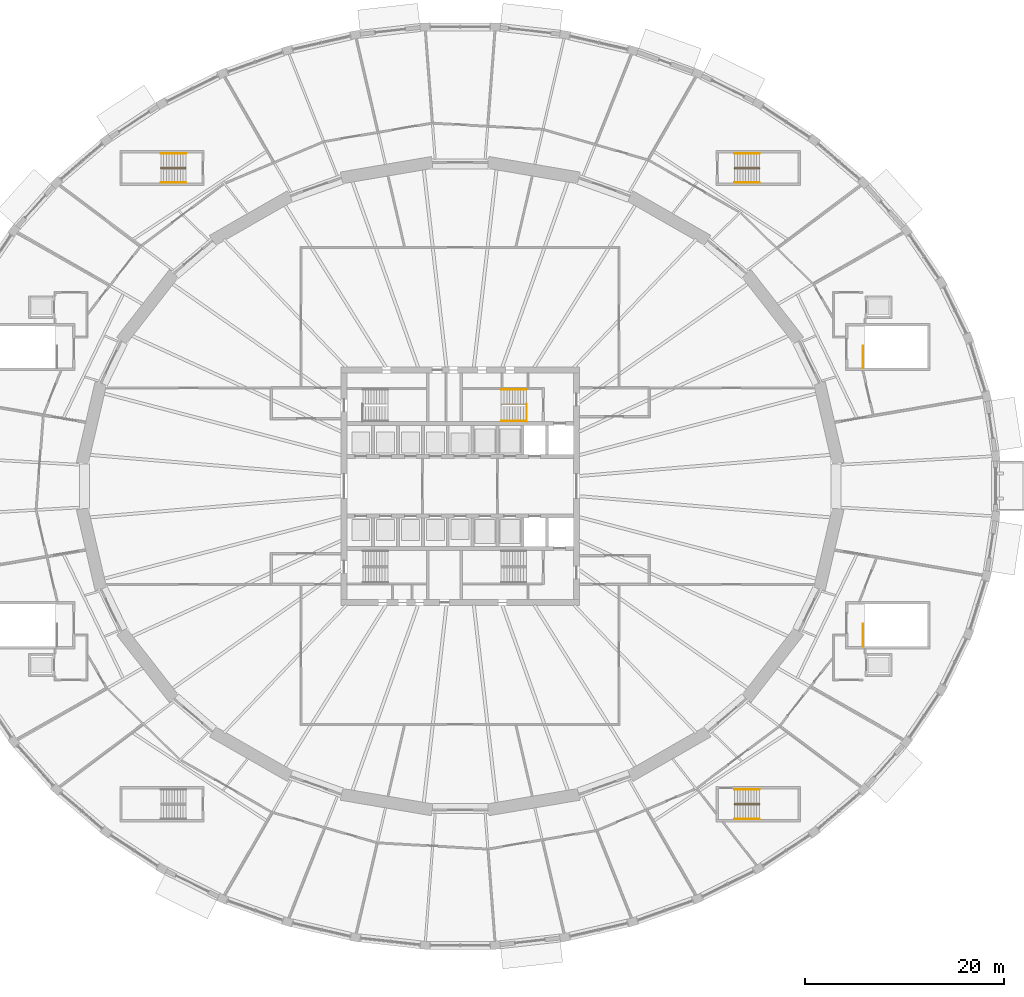
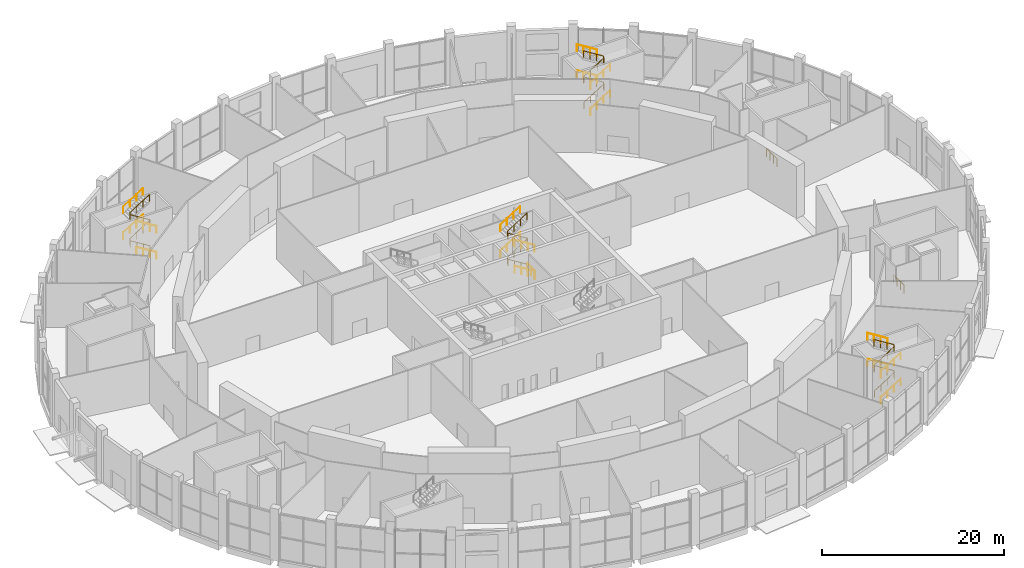
# One storey, part 32 of 33: 23 railings.
"""IFC4 building model written with IfcOpenShell, lengths in metres."""

from ifc_helpers import new_model, si_unit, direction, frame, origin, origin_2d, place, context, subcontext, project, spatial, circle, extrude, material, type_object, element, save


model = new_model("IFC4")

# Units and contexts
model_context = context("Model", 3, precision=1e-05, world=origin(), true_north=direction((0.0, 1.0)))
body_context = subcontext(model_context, "Body", "Model", "MODEL_VIEW")
ifc_project = project(units=[si_unit("LENGTHUNIT", "METRE"), si_unit("AREAUNIT", "SQUARE_METRE"), si_unit("VOLUMEUNIT", "CUBIC_METRE"), si_unit("PLANEANGLEUNIT", "RADIAN"), si_unit("MASSUNIT", "GRAM", prefix="KILO")], contexts=[model_context])

# Site, building, storey
site_placement = place(None, origin())
site = spatial("IfcSite", under=ifc_project, at=site_placement, CompositionType="ELEMENT")
building_placement = place(site_placement, origin())
building = spatial("IfcBuilding", under=site, at=building_placement, Name="Halqa Exchange Tower", CompositionType="ELEMENT")
storey_placement = place(building_placement, origin())
storey = spatial("IfcBuildingStorey", under=building, at=storey_placement, Name="L00", CompositionType="ELEMENT", Elevation=0.0)

# Railings
ifc_material = material(Name="Stainless steel", Category="steel")
railing_type_1 = type_object("IfcRailingType", Name="Stair handrail 900", PredefinedType="HANDRAIL", material=ifc_material)
railing_1_placement = place(storey_placement, frame((6.64990234375, 8.06005859375, 0.175048828125)))
element("IfcRailing", 1, at=railing_1_placement, inside=storey, type_object=railing_type_1, Name="Handrail ST2.1", PredefinedType="HANDRAIL", context=body_context, shape_type="SweptSolid", body=[
    extrude(circle(Radius=0.02392578125, at=origin_2d()), frame((0.0, 0.0, 0.8759765625), z_axis=(-0.848007534815, 0.0, 0.529984170421), x_axis=(0.0, -1.0, 0.0)), (0.0, 0.0, 1.0), 2.9716796875),
    extrude(circle(Radius=0.02392578125, at=origin_2d()), frame((-2.52001953125, 0.0, 2.45068359375), z_axis=(0.0, 0.595870227118, 0.803080738428), x_axis=(-1.0, 0.0, 0.0)), (0.0, 0.0, 1.0), 0.218017578125),
    extrude(circle(Radius=0.02392578125, at=origin_2d()), frame((-2.52001953125, 0.1298828125, 2.6259765625), z_axis=(0.848007534815, 0.0, 0.529984170421), x_axis=(0.0, 1.0, 0.0)), (0.0, 0.0, 1.0), 2.9716796875),
    extrude(circle(Radius=0.02392578125, at=origin_2d()), frame((0.0, 0.1298828125, 4.20068359375), z_axis=(0.0, -0.595870227118, 0.803080738428), x_axis=(1.0, 0.0, 0.0)), (0.0, 0.0, 1.0), 0.218017578125),
    extrude(circle(Radius=0.02392578125, at=origin_2d()), frame((0.0, 0.0, 4.3759765625), z_axis=(-0.848007534815, 0.0, 0.529984170421), x_axis=(0.0, -1.0, 0.0)), (0.0, 0.0, 1.0), 2.9716796875),
    extrude(circle(Radius=0.02392578125, at=origin_2d()), frame((-2.52001953125, 0.0, 5.95068359375), z_axis=(0.0, 0.595870227118, 0.803080738428), x_axis=(-1.0, 0.0, 0.0)), (0.0, 0.0, 1.0), 0.218017578125),
    extrude(circle(Radius=0.02392578125, at=origin_2d()), frame((-2.52001953125, 0.1298828125, 6.1259765625), z_axis=(0.848007534815, 0.0, 0.529984170421), x_axis=(0.0, 1.0, 0.0)), (0.0, 0.0, 1.0), 2.9716796875),
    extrude(circle(Radius=0.02099609375, at=origin_2d()), origin(), (0.0, 0.0, 1.0), 0.851806640625),
    extrude(circle(Radius=0.02099609375, at=origin_2d()), frame((-0.840087890625, 0.0, 0.52490234375)), (0.0, 0.0, 1.0), 0.851806640625),
    extrude(circle(Radius=0.02099609375, at=origin_2d()), frame((-1.679931640625, 0.0, 1.050048828125)), (0.0, 0.0, 1.0), 0.851806640625),
    extrude(circle(Radius=0.02099609375, at=origin_2d()), frame((-2.52001953125, 0.0, 1.574951171875)), (0.0, 0.0, 1.0), 0.851806640625),
    extrude(circle(Radius=0.02099609375, at=origin_2d()), frame((-2.52001953125, 0.1298828125, 1.75)), (0.0, 0.0, 1.0), 0.851806640625),
    extrude(circle(Radius=0.02099609375, at=origin_2d()), frame((-1.679931640625, 0.1298828125, 2.27490234375)), (0.0, 0.0, 1.0), 0.851806640625),
    extrude(circle(Radius=0.02099609375, at=origin_2d()), frame((-0.840087890625, 0.1298828125, 2.800048828125)), (0.0, 0.0, 1.0), 0.851806640625),
    extrude(circle(Radius=0.02099609375, at=origin_2d()), frame((0.0, 0.1298828125, 3.324951171875)), (0.0, 0.0, 1.0), 0.851806640625),
    extrude(circle(Radius=0.02099609375, at=origin_2d()), frame((0.0, 0.0, 3.5)), (0.0, 0.0, 1.0), 0.851806640625),
    extrude(circle(Radius=0.02099609375, at=origin_2d()), frame((-0.840087890625, 0.0, 4.02490234375)), (0.0, 0.0, 1.0), 0.851806640625),
    extrude(circle(Radius=0.02099609375, at=origin_2d()), frame((-1.679931640625, 0.0, 4.550048828125)), (0.0, 0.0, 1.0), 0.851806640625),
    extrude(circle(Radius=0.02099609375, at=origin_2d()), frame((-2.52001953125, 0.0, 5.074951171875)), (0.0, 0.0, 1.0), 0.851806640625),
    extrude(circle(Radius=0.02099609375, at=origin_2d()), frame((-2.52001953125, 0.1298828125, 5.25)), (0.0, 0.0, 1.0), 0.851806640625),
    extrude(circle(Radius=0.02099609375, at=origin_2d()), frame((-1.679931640625, 0.1298828125, 5.77490234375)), (0.0, 0.0, 1.0), 0.851806640625),
    extrude(circle(Radius=0.02099609375, at=origin_2d()), frame((-0.840087890625, 0.1298828125, 6.300048828125)), (0.0, 0.0, 1.0), 0.851806640625),
    extrude(circle(Radius=0.02099609375, at=origin_2d()), frame((0.0, 0.1298828125, 6.824951171875)), (0.0, 0.0, 1.0), 0.851806640625),
])
railing_2_placement = place(storey_placement, frame((6.64990234375, 6.550048828125, 0.175048828125)))
element("IfcRailing", 2, at=railing_2_placement, inside=storey, type_object=railing_type_1, Name="Handrail ST2.2", PredefinedType="HANDRAIL", context=body_context, shape_type="SweptSolid", body=[
    extrude(circle(Radius=0.02392578125, at=origin_2d()), frame((0.0, 0.0, 0.8759765625), z_axis=(-0.848007534815, 0.0, 0.529984170421), x_axis=(0.0, -1.0, 0.0)), (0.0, 0.0, 1.0), 2.9716796875),
    extrude(circle(Radius=0.02099609375, at=origin_2d()), origin(), (0.0, 0.0, 1.0), 0.851806640625),
    extrude(circle(Radius=0.02099609375, at=origin_2d()), frame((-0.840087890625, 0.0, 0.52490234375)), (0.0, 0.0, 1.0), 0.851806640625),
    extrude(circle(Radius=0.02099609375, at=origin_2d()), frame((-1.679931640625, 0.0, 1.050048828125)), (0.0, 0.0, 1.0), 0.851806640625),
    extrude(circle(Radius=0.02099609375, at=origin_2d()), frame((-2.52001953125, 0.0, 1.574951171875)), (0.0, 0.0, 1.0), 0.851806640625),
])
railing_3_placement = place(storey_placement, frame((4.1298828125, 9.699951171875, 1.925048828125)))
element("IfcRailing", 3, at=railing_3_placement, inside=storey, type_object=railing_type_1, Name="Handrail ST2.3", PredefinedType="HANDRAIL", context=body_context, shape_type="SweptSolid", body=[
    extrude(circle(Radius=0.02392578125, at=origin_2d()), frame((0.0, 0.0, 0.8759765625), z_axis=(0.848007534815, 0.0, 0.529984170421), x_axis=(0.0, 1.0, 0.0)), (0.0, 0.0, 1.0), 2.9716796875),
    extrude(circle(Radius=0.02099609375, at=origin_2d()), origin(), (0.0, 0.0, 1.0), 0.851806640625),
    extrude(circle(Radius=0.02099609375, at=origin_2d()), frame((0.840087890625, 0.0, 0.52490234375)), (0.0, 0.0, 1.0), 0.851806640625),
    extrude(circle(Radius=0.02099609375, at=origin_2d()), frame((1.679931640625, 0.0, 1.050048828125)), (0.0, 0.0, 1.0), 0.851806640625),
    extrude(circle(Radius=0.02099609375, at=origin_2d()), frame((2.52001953125, 0.0, 1.574951171875)), (0.0, 0.0, 1.0), 0.851806640625),
])
railing_4_placement = place(storey_placement, frame((6.64990234375, 6.550048828125, 3.675048828125)))
element("IfcRailing", 4, at=railing_4_placement, inside=storey, type_object=railing_type_1, Name="Handrail ST2.4", PredefinedType="HANDRAIL", context=body_context, shape_type="SweptSolid", body=[
    extrude(circle(Radius=0.02392578125, at=origin_2d()), frame((0.0, 0.0, 0.8759765625), z_axis=(-0.848007534815, 0.0, 0.529984170421), x_axis=(0.0, -1.0, 0.0)), (0.0, 0.0, 1.0), 2.9716796875),
    extrude(circle(Radius=0.02099609375, at=origin_2d()), origin(), (0.0, 0.0, 1.0), 0.851806640625),
    extrude(circle(Radius=0.02099609375, at=origin_2d()), frame((-0.840087890625, 0.0, 0.52490234375)), (0.0, 0.0, 1.0), 0.851806640625),
    extrude(circle(Radius=0.02099609375, at=origin_2d()), frame((-1.679931640625, 0.0, 1.050048828125)), (0.0, 0.0, 1.0), 0.851806640625),
    extrude(circle(Radius=0.02099609375, at=origin_2d()), frame((-2.52001953125, 0.0, 1.574951171875)), (0.0, 0.0, 1.0), 0.851806640625),
])
railing_5_placement = place(storey_placement, frame((4.1298828125, 9.699951171875, 5.425048828125)))
element("IfcRailing", 5, at=railing_5_placement, inside=storey, type_object=railing_type_1, Name="Handrail ST2.5", PredefinedType="HANDRAIL", context=body_context, shape_type="SweptSolid", body=[
    extrude(circle(Radius=0.02392578125, at=origin_2d()), frame((0.0, 0.0, 0.8759765625), z_axis=(0.848007534815, 0.0, 0.529984170421), x_axis=(0.0, 1.0, 0.0)), (0.0, 0.0, 1.0), 2.9716796875),
    extrude(circle(Radius=0.02099609375, at=origin_2d()), origin(), (0.0, 0.0, 1.0), 0.851806640625),
    extrude(circle(Radius=0.02099609375, at=origin_2d()), frame((0.840087890625, 0.0, 0.52490234375)), (0.0, 0.0, 1.0), 0.851806640625),
    extrude(circle(Radius=0.02099609375, at=origin_2d()), frame((1.679931640625, 0.0, 1.050048828125)), (0.0, 0.0, 1.0), 0.851806640625),
    extrude(circle(Radius=0.02099609375, at=origin_2d()), frame((2.52001953125, 0.0, 1.574951171875)), (0.0, 0.0, 1.0), 0.851806640625),
])
railing_6_placement = place(storey_placement, frame((27.60009765625, 31.93505859375, 0.175048828125)))
element("IfcRailing", 6, at=railing_6_placement, inside=storey, type_object=railing_type_1, Name="Handrail PS1.1", PredefinedType="HANDRAIL", context=body_context, shape_type="SweptSolid", body=[
    extrude(circle(Radius=0.02392578125, at=origin_2d()), frame((0.0, 0.0, 0.8759765625), z_axis=(0.848007534815, 0.0, 0.529984170421), x_axis=(0.0, 1.0, 0.0)), (0.0, 0.0, 1.0), 2.9716796875),
    extrude(circle(Radius=0.02392578125, at=origin_2d()), frame((2.52001953125, 0.0, 2.45068359375), z_axis=(0.0, 0.595870227118, 0.803080738428), x_axis=(-1.0, 0.0, 0.0)), (0.0, 0.0, 1.0), 0.218017578125),
    extrude(circle(Radius=0.02392578125, at=origin_2d()), frame((2.52001953125, 0.1298828125, 2.6259765625), z_axis=(-0.848007534815, 0.0, 0.529984170421), x_axis=(0.0, -1.0, 0.0)), (0.0, 0.0, 1.0), 2.9716796875),
    extrude(circle(Radius=0.02392578125, at=origin_2d()), frame((0.0, 0.1298828125, 4.20068359375), z_axis=(0.0, -0.595870227118, 0.803080738428), x_axis=(1.0, 0.0, 0.0)), (0.0, 0.0, 1.0), 0.218017578125),
    extrude(circle(Radius=0.02392578125, at=origin_2d()), frame((0.0, 0.0, 4.3759765625), z_axis=(0.848007534815, 0.0, 0.529984170421), x_axis=(0.0, 1.0, 0.0)), (0.0, 0.0, 1.0), 2.9716796875),
    extrude(circle(Radius=0.02392578125, at=origin_2d()), frame((2.52001953125, 0.0, 5.95068359375), z_axis=(0.0, 0.595870227118, 0.803080738428), x_axis=(-1.0, 0.0, 0.0)), (0.0, 0.0, 1.0), 0.218017578125),
    extrude(circle(Radius=0.02392578125, at=origin_2d()), frame((2.52001953125, 0.1298828125, 6.1259765625), z_axis=(-0.848007534815, 0.0, 0.529984170421), x_axis=(0.0, -1.0, 0.0)), (0.0, 0.0, 1.0), 2.9716796875),
    extrude(circle(Radius=0.02099609375, at=origin_2d()), origin(), (0.0, 0.0, 1.0), 0.851806640625),
    extrude(circle(Radius=0.02099609375, at=origin_2d()), frame((0.840087890625, 0.0, 0.52490234375)), (0.0, 0.0, 1.0), 0.851806640625),
    extrude(circle(Radius=0.02099609375, at=origin_2d()), frame((1.679931640625, 0.0, 1.050048828125)), (0.0, 0.0, 1.0), 0.851806640625),
    extrude(circle(Radius=0.02099609375, at=origin_2d()), frame((2.52001953125, 0.0, 1.574951171875)), (0.0, 0.0, 1.0), 0.851806640625),
    extrude(circle(Radius=0.02099609375, at=origin_2d()), frame((2.52001953125, 0.1298828125, 1.75)), (0.0, 0.0, 1.0), 0.851806640625),
    extrude(circle(Radius=0.02099609375, at=origin_2d()), frame((1.679931640625, 0.1298828125, 2.27490234375)), (0.0, 0.0, 1.0), 0.851806640625),
    extrude(circle(Radius=0.02099609375, at=origin_2d()), frame((0.840087890625, 0.1298828125, 2.800048828125)), (0.0, 0.0, 1.0), 0.851806640625),
    extrude(circle(Radius=0.02099609375, at=origin_2d()), frame((0.0, 0.1298828125, 3.324951171875)), (0.0, 0.0, 1.0), 0.851806640625),
    extrude(circle(Radius=0.02099609375, at=origin_2d()), frame((0.0, 0.0, 3.5)), (0.0, 0.0, 1.0), 0.851806640625),
    extrude(circle(Radius=0.02099609375, at=origin_2d()), frame((0.840087890625, 0.0, 4.02490234375)), (0.0, 0.0, 1.0), 0.851806640625),
    extrude(circle(Radius=0.02099609375, at=origin_2d()), frame((1.679931640625, 0.0, 4.550048828125)), (0.0, 0.0, 1.0), 0.851806640625),
    extrude(circle(Radius=0.02099609375, at=origin_2d()), frame((2.52001953125, 0.0, 5.074951171875)), (0.0, 0.0, 1.0), 0.851806640625),
    extrude(circle(Radius=0.02099609375, at=origin_2d()), frame((2.52001953125, 0.1298828125, 5.25)), (0.0, 0.0, 1.0), 0.851806640625),
    extrude(circle(Radius=0.02099609375, at=origin_2d()), frame((1.679931640625, 0.1298828125, 5.77490234375)), (0.0, 0.0, 1.0), 0.851806640625),
    extrude(circle(Radius=0.02099609375, at=origin_2d()), frame((0.840087890625, 0.1298828125, 6.300048828125)), (0.0, 0.0, 1.0), 0.851806640625),
    extrude(circle(Radius=0.02099609375, at=origin_2d()), frame((0.0, 0.1298828125, 6.824951171875)), (0.0, 0.0, 1.0), 0.851806640625),
])
railing_7_placement = place(storey_placement, frame((27.60009765625, 30.52490234375, 0.175048828125)))
element("IfcRailing", 7, at=railing_7_placement, inside=storey, type_object=railing_type_1, Name="Handrail PS1.2", PredefinedType="HANDRAIL", context=body_context, shape_type="SweptSolid", body=[
    extrude(circle(Radius=0.02392578125, at=origin_2d()), frame((0.0, 0.0, 0.8759765625), z_axis=(0.848007534815, 0.0, 0.529984170421), x_axis=(0.0, 1.0, 0.0)), (0.0, 0.0, 1.0), 2.9716796875),
    extrude(circle(Radius=0.02099609375, at=origin_2d()), origin(), (0.0, 0.0, 1.0), 0.851806640625),
    extrude(circle(Radius=0.02099609375, at=origin_2d()), frame((0.840087890625, 0.0, 0.52490234375)), (0.0, 0.0, 1.0), 0.851806640625),
    extrude(circle(Radius=0.02099609375, at=origin_2d()), frame((1.679931640625, 0.0, 1.050048828125)), (0.0, 0.0, 1.0), 0.851806640625),
    extrude(circle(Radius=0.02099609375, at=origin_2d()), frame((2.52001953125, 0.0, 1.574951171875)), (0.0, 0.0, 1.0), 0.851806640625),
])
railing_8_placement = place(storey_placement, frame((30.1201171875, 33.47509765625, 1.925048828125)))
element("IfcRailing", 8, at=railing_8_placement, inside=storey, type_object=railing_type_1, Name="Handrail PS1.3", PredefinedType="HANDRAIL", context=body_context, shape_type="SweptSolid", body=[
    extrude(circle(Radius=0.02392578125, at=origin_2d()), frame((0.0, 0.0, 0.8759765625), z_axis=(-0.848007534815, 0.0, 0.529984170421), x_axis=(0.0, -1.0, 0.0)), (0.0, 0.0, 1.0), 2.9716796875),
    extrude(circle(Radius=0.02099609375, at=origin_2d()), origin(), (0.0, 0.0, 1.0), 0.851806640625),
    extrude(circle(Radius=0.02099609375, at=origin_2d()), frame((-0.840087890625, 0.0, 0.52490234375)), (0.0, 0.0, 1.0), 0.851806640625),
    extrude(circle(Radius=0.02099609375, at=origin_2d()), frame((-1.679931640625, 0.0, 1.050048828125)), (0.0, 0.0, 1.0), 0.851806640625),
    extrude(circle(Radius=0.02099609375, at=origin_2d()), frame((-2.52001953125, 0.0, 1.574951171875)), (0.0, 0.0, 1.0), 0.851806640625),
])
railing_9_placement = place(storey_placement, frame((27.60009765625, 30.52490234375, 3.675048828125)))
element("IfcRailing", 9, at=railing_9_placement, inside=storey, type_object=railing_type_1, Name="Handrail PS1.4", PredefinedType="HANDRAIL", context=body_context, shape_type="SweptSolid", body=[
    extrude(circle(Radius=0.02392578125, at=origin_2d()), frame((0.0, 0.0, 0.8759765625), z_axis=(0.848007534815, 0.0, 0.529984170421), x_axis=(0.0, 1.0, 0.0)), (0.0, 0.0, 1.0), 2.9716796875),
    extrude(circle(Radius=0.02099609375, at=origin_2d()), origin(), (0.0, 0.0, 1.0), 0.851806640625),
    extrude(circle(Radius=0.02099609375, at=origin_2d()), frame((0.840087890625, 0.0, 0.52490234375)), (0.0, 0.0, 1.0), 0.851806640625),
    extrude(circle(Radius=0.02099609375, at=origin_2d()), frame((1.679931640625, 0.0, 1.050048828125)), (0.0, 0.0, 1.0), 0.851806640625),
    extrude(circle(Radius=0.02099609375, at=origin_2d()), frame((2.52001953125, 0.0, 1.574951171875)), (0.0, 0.0, 1.0), 0.851806640625),
])
railing_10_placement = place(storey_placement, frame((30.1201171875, 33.47509765625, 5.425048828125)))
element("IfcRailing", 10, at=railing_10_placement, inside=storey, type_object=railing_type_1, Name="Handrail PS1.5", PredefinedType="HANDRAIL", context=body_context, shape_type="SweptSolid", body=[
    extrude(circle(Radius=0.02392578125, at=origin_2d()), frame((0.0, 0.0, 0.8759765625), z_axis=(-0.848007534815, 0.0, 0.529984170421), x_axis=(0.0, -1.0, 0.0)), (0.0, 0.0, 1.0), 2.9716796875),
    extrude(circle(Radius=0.02099609375, at=origin_2d()), origin(), (0.0, 0.0, 1.0), 0.851806640625),
    extrude(circle(Radius=0.02099609375, at=origin_2d()), frame((-0.840087890625, 0.0, 0.52490234375)), (0.0, 0.0, 1.0), 0.851806640625),
    extrude(circle(Radius=0.02099609375, at=origin_2d()), frame((-1.679931640625, 0.0, 1.050048828125)), (0.0, 0.0, 1.0), 0.851806640625),
    extrude(circle(Radius=0.02099609375, at=origin_2d()), frame((-2.52001953125, 0.0, 1.574951171875)), (0.0, 0.0, 1.0), 0.851806640625),
])
railing_11_placement = place(storey_placement, frame((27.60009765625, -32.06494140625, 0.175048828125)))
element("IfcRailing", 11, at=railing_11_placement, inside=storey, type_object=railing_type_1, Name="Handrail PS2.1", PredefinedType="HANDRAIL", context=body_context, shape_type="SweptSolid", body=[
    extrude(circle(Radius=0.02392578125, at=origin_2d()), frame((0.0, 0.0, 0.8759765625), z_axis=(0.848007534815, 0.0, 0.529984170421), x_axis=(0.0, 1.0, 0.0)), (0.0, 0.0, 1.0), 2.9716796875),
    extrude(circle(Radius=0.02392578125, at=origin_2d()), frame((2.52001953125, 0.0, 2.45068359375), z_axis=(0.0, 0.595870227118, 0.803080738428), x_axis=(-1.0, 0.0, 0.0)), (0.0, 0.0, 1.0), 0.218017578125),
    extrude(circle(Radius=0.02392578125, at=origin_2d()), frame((2.52001953125, 0.1298828125, 2.6259765625), z_axis=(-0.848007534815, 0.0, 0.529984170421), x_axis=(0.0, -1.0, 0.0)), (0.0, 0.0, 1.0), 2.9716796875),
    extrude(circle(Radius=0.02392578125, at=origin_2d()), frame((0.0, 0.1298828125, 4.20068359375), z_axis=(0.0, -0.595870227118, 0.803080738428), x_axis=(1.0, 0.0, 0.0)), (0.0, 0.0, 1.0), 0.218017578125),
    extrude(circle(Radius=0.02392578125, at=origin_2d()), frame((0.0, 0.0, 4.3759765625), z_axis=(0.848007534815, 0.0, 0.529984170421), x_axis=(0.0, 1.0, 0.0)), (0.0, 0.0, 1.0), 2.9716796875),
    extrude(circle(Radius=0.02392578125, at=origin_2d()), frame((2.52001953125, 0.0, 5.95068359375), z_axis=(0.0, 0.595870227118, 0.803080738428), x_axis=(-1.0, 0.0, 0.0)), (0.0, 0.0, 1.0), 0.218017578125),
    extrude(circle(Radius=0.02392578125, at=origin_2d()), frame((2.52001953125, 0.1298828125, 6.1259765625), z_axis=(-0.848007534815, 0.0, 0.529984170421), x_axis=(0.0, -1.0, 0.0)), (0.0, 0.0, 1.0), 2.9716796875),
    extrude(circle(Radius=0.02099609375, at=origin_2d()), origin(), (0.0, 0.0, 1.0), 0.851806640625),
    extrude(circle(Radius=0.02099609375, at=origin_2d()), frame((0.840087890625, 0.0, 0.52490234375)), (0.0, 0.0, 1.0), 0.851806640625),
    extrude(circle(Radius=0.02099609375, at=origin_2d()), frame((1.679931640625, 0.0, 1.050048828125)), (0.0, 0.0, 1.0), 0.851806640625),
    extrude(circle(Radius=0.02099609375, at=origin_2d()), frame((2.52001953125, 0.0, 1.574951171875)), (0.0, 0.0, 1.0), 0.851806640625),
    extrude(circle(Radius=0.02099609375, at=origin_2d()), frame((2.52001953125, 0.1298828125, 1.75)), (0.0, 0.0, 1.0), 0.851806640625),
    extrude(circle(Radius=0.02099609375, at=origin_2d()), frame((1.679931640625, 0.1298828125, 2.27490234375)), (0.0, 0.0, 1.0), 0.851806640625),
    extrude(circle(Radius=0.02099609375, at=origin_2d()), frame((0.840087890625, 0.1298828125, 2.800048828125)), (0.0, 0.0, 1.0), 0.851806640625),
    extrude(circle(Radius=0.02099609375, at=origin_2d()), frame((0.0, 0.1298828125, 3.324951171875)), (0.0, 0.0, 1.0), 0.851806640625),
    extrude(circle(Radius=0.02099609375, at=origin_2d()), frame((0.0, 0.0, 3.5)), (0.0, 0.0, 1.0), 0.851806640625),
    extrude(circle(Radius=0.02099609375, at=origin_2d()), frame((0.840087890625, 0.0, 4.02490234375)), (0.0, 0.0, 1.0), 0.851806640625),
    extrude(circle(Radius=0.02099609375, at=origin_2d()), frame((1.679931640625, 0.0, 4.550048828125)), (0.0, 0.0, 1.0), 0.851806640625),
    extrude(circle(Radius=0.02099609375, at=origin_2d()), frame((2.52001953125, 0.0, 5.074951171875)), (0.0, 0.0, 1.0), 0.851806640625),
    extrude(circle(Radius=0.02099609375, at=origin_2d()), frame((2.52001953125, 0.1298828125, 5.25)), (0.0, 0.0, 1.0), 0.851806640625),
    extrude(circle(Radius=0.02099609375, at=origin_2d()), frame((1.679931640625, 0.1298828125, 5.77490234375)), (0.0, 0.0, 1.0), 0.851806640625),
    extrude(circle(Radius=0.02099609375, at=origin_2d()), frame((0.840087890625, 0.1298828125, 6.300048828125)), (0.0, 0.0, 1.0), 0.851806640625),
    extrude(circle(Radius=0.02099609375, at=origin_2d()), frame((0.0, 0.1298828125, 6.824951171875)), (0.0, 0.0, 1.0), 0.851806640625),
])
railing_12_placement = place(storey_placement, frame((27.60009765625, -33.47509765625, 0.175048828125)))
element("IfcRailing", 12, at=railing_12_placement, inside=storey, type_object=railing_type_1, Name="Handrail PS2.2", PredefinedType="HANDRAIL", context=body_context, shape_type="SweptSolid", body=[
    extrude(circle(Radius=0.02392578125, at=origin_2d()), frame((0.0, 0.0, 0.8759765625), z_axis=(0.848007534815, 0.0, 0.529984170421), x_axis=(0.0, 1.0, 0.0)), (0.0, 0.0, 1.0), 2.9716796875),
    extrude(circle(Radius=0.02099609375, at=origin_2d()), origin(), (0.0, 0.0, 1.0), 0.851806640625),
    extrude(circle(Radius=0.02099609375, at=origin_2d()), frame((0.840087890625, 0.0, 0.52490234375)), (0.0, 0.0, 1.0), 0.851806640625),
    extrude(circle(Radius=0.02099609375, at=origin_2d()), frame((1.679931640625, 0.0, 1.050048828125)), (0.0, 0.0, 1.0), 0.851806640625),
    extrude(circle(Radius=0.02099609375, at=origin_2d()), frame((2.52001953125, 0.0, 1.574951171875)), (0.0, 0.0, 1.0), 0.851806640625),
])
railing_13_placement = place(storey_placement, frame((30.1201171875, -30.52490234375, 1.925048828125)))
element("IfcRailing", 13, at=railing_13_placement, inside=storey, type_object=railing_type_1, Name="Handrail PS2.3", PredefinedType="HANDRAIL", context=body_context, shape_type="SweptSolid", body=[
    extrude(circle(Radius=0.02392578125, at=origin_2d()), frame((0.0, 0.0, 0.8759765625), z_axis=(-0.848007534815, 0.0, 0.529984170421), x_axis=(0.0, -1.0, 0.0)), (0.0, 0.0, 1.0), 2.9716796875),
    extrude(circle(Radius=0.02099609375, at=origin_2d()), origin(), (0.0, 0.0, 1.0), 0.851806640625),
    extrude(circle(Radius=0.02099609375, at=origin_2d()), frame((-0.840087890625, 0.0, 0.52490234375)), (0.0, 0.0, 1.0), 0.851806640625),
    extrude(circle(Radius=0.02099609375, at=origin_2d()), frame((-1.679931640625, 0.0, 1.050048828125)), (0.0, 0.0, 1.0), 0.851806640625),
    extrude(circle(Radius=0.02099609375, at=origin_2d()), frame((-2.52001953125, 0.0, 1.574951171875)), (0.0, 0.0, 1.0), 0.851806640625),
])
railing_14_placement = place(storey_placement, frame((27.60009765625, -33.47509765625, 3.675048828125)))
element("IfcRailing", 14, at=railing_14_placement, inside=storey, type_object=railing_type_1, Name="Handrail PS2.4", PredefinedType="HANDRAIL", context=body_context, shape_type="SweptSolid", body=[
    extrude(circle(Radius=0.02392578125, at=origin_2d()), frame((0.0, 0.0, 0.8759765625), z_axis=(0.848007534815, 0.0, 0.529984170421), x_axis=(0.0, 1.0, 0.0)), (0.0, 0.0, 1.0), 2.9716796875),
    extrude(circle(Radius=0.02099609375, at=origin_2d()), origin(), (0.0, 0.0, 1.0), 0.851806640625),
    extrude(circle(Radius=0.02099609375, at=origin_2d()), frame((0.840087890625, 0.0, 0.52490234375)), (0.0, 0.0, 1.0), 0.851806640625),
    extrude(circle(Radius=0.02099609375, at=origin_2d()), frame((1.679931640625, 0.0, 1.050048828125)), (0.0, 0.0, 1.0), 0.851806640625),
    extrude(circle(Radius=0.02099609375, at=origin_2d()), frame((2.52001953125, 0.0, 1.574951171875)), (0.0, 0.0, 1.0), 0.851806640625),
])
railing_15_placement = place(storey_placement, frame((30.1201171875, -30.52490234375, 5.425048828125)))
element("IfcRailing", 15, at=railing_15_placement, inside=storey, type_object=railing_type_1, Name="Handrail PS2.5", PredefinedType="HANDRAIL", context=body_context, shape_type="SweptSolid", body=[
    extrude(circle(Radius=0.02392578125, at=origin_2d()), frame((0.0, 0.0, 0.8759765625), z_axis=(-0.848007534815, 0.0, 0.529984170421), x_axis=(0.0, -1.0, 0.0)), (0.0, 0.0, 1.0), 2.9716796875),
    extrude(circle(Radius=0.02099609375, at=origin_2d()), origin(), (0.0, 0.0, 1.0), 0.851806640625),
    extrude(circle(Radius=0.02099609375, at=origin_2d()), frame((-0.840087890625, 0.0, 0.52490234375)), (0.0, 0.0, 1.0), 0.851806640625),
    extrude(circle(Radius=0.02099609375, at=origin_2d()), frame((-1.679931640625, 0.0, 1.050048828125)), (0.0, 0.0, 1.0), 0.851806640625),
    extrude(circle(Radius=0.02099609375, at=origin_2d()), frame((-2.52001953125, 0.0, 1.574951171875)), (0.0, 0.0, 1.0), 0.851806640625),
])
railing_16_placement = place(storey_placement, frame((-27.60009765625, 31.93505859375, 0.175048828125)))
element("IfcRailing", 16, at=railing_16_placement, inside=storey, type_object=railing_type_1, Name="Handrail PS3.1", PredefinedType="HANDRAIL", context=body_context, shape_type="SweptSolid", body=[
    extrude(circle(Radius=0.02392578125, at=origin_2d()), frame((0.0, 0.0, 0.8759765625), z_axis=(-0.848007534815, 0.0, 0.529984170421), x_axis=(0.0, -1.0, 0.0)), (0.0, 0.0, 1.0), 2.9716796875),
    extrude(circle(Radius=0.02392578125, at=origin_2d()), frame((-2.52001953125, 0.0, 2.45068359375), z_axis=(0.0, 0.595870227118, 0.803080738428), x_axis=(-1.0, 0.0, 0.0)), (0.0, 0.0, 1.0), 0.218017578125),
    extrude(circle(Radius=0.02392578125, at=origin_2d()), frame((-2.52001953125, 0.1298828125, 2.6259765625), z_axis=(0.848007534815, 0.0, 0.529984170421), x_axis=(0.0, 1.0, 0.0)), (0.0, 0.0, 1.0), 2.9716796875),
    extrude(circle(Radius=0.02392578125, at=origin_2d()), frame((0.0, 0.1298828125, 4.20068359375), z_axis=(0.0, -0.595870227118, 0.803080738428), x_axis=(1.0, 0.0, 0.0)), (0.0, 0.0, 1.0), 0.218017578125),
    extrude(circle(Radius=0.02392578125, at=origin_2d()), frame((0.0, 0.0, 4.3759765625), z_axis=(-0.848007534815, 0.0, 0.529984170421), x_axis=(0.0, -1.0, 0.0)), (0.0, 0.0, 1.0), 2.9716796875),
    extrude(circle(Radius=0.02392578125, at=origin_2d()), frame((-2.52001953125, 0.0, 5.95068359375), z_axis=(0.0, 0.595870227118, 0.803080738428), x_axis=(-1.0, 0.0, 0.0)), (0.0, 0.0, 1.0), 0.218017578125),
    extrude(circle(Radius=0.02392578125, at=origin_2d()), frame((-2.52001953125, 0.1298828125, 6.1259765625), z_axis=(0.848007534815, 0.0, 0.529984170421), x_axis=(0.0, 1.0, 0.0)), (0.0, 0.0, 1.0), 2.9716796875),
    extrude(circle(Radius=0.02099609375, at=origin_2d()), origin(), (0.0, 0.0, 1.0), 0.851806640625),
    extrude(circle(Radius=0.02099609375, at=origin_2d()), frame((-0.840087890625, 0.0, 0.52490234375)), (0.0, 0.0, 1.0), 0.851806640625),
    extrude(circle(Radius=0.02099609375, at=origin_2d()), frame((-1.679931640625, 0.0, 1.050048828125)), (0.0, 0.0, 1.0), 0.851806640625),
    extrude(circle(Radius=0.02099609375, at=origin_2d()), frame((-2.52001953125, 0.0, 1.574951171875)), (0.0, 0.0, 1.0), 0.851806640625),
    extrude(circle(Radius=0.02099609375, at=origin_2d()), frame((-2.52001953125, 0.1298828125, 1.75)), (0.0, 0.0, 1.0), 0.851806640625),
    extrude(circle(Radius=0.02099609375, at=origin_2d()), frame((-1.679931640625, 0.1298828125, 2.27490234375)), (0.0, 0.0, 1.0), 0.851806640625),
    extrude(circle(Radius=0.02099609375, at=origin_2d()), frame((-0.840087890625, 0.1298828125, 2.800048828125)), (0.0, 0.0, 1.0), 0.851806640625),
    extrude(circle(Radius=0.02099609375, at=origin_2d()), frame((0.0, 0.1298828125, 3.324951171875)), (0.0, 0.0, 1.0), 0.851806640625),
    extrude(circle(Radius=0.02099609375, at=origin_2d()), frame((0.0, 0.0, 3.5)), (0.0, 0.0, 1.0), 0.851806640625),
    extrude(circle(Radius=0.02099609375, at=origin_2d()), frame((-0.840087890625, 0.0, 4.02490234375)), (0.0, 0.0, 1.0), 0.851806640625),
    extrude(circle(Radius=0.02099609375, at=origin_2d()), frame((-1.679931640625, 0.0, 4.550048828125)), (0.0, 0.0, 1.0), 0.851806640625),
    extrude(circle(Radius=0.02099609375, at=origin_2d()), frame((-2.52001953125, 0.0, 5.074951171875)), (0.0, 0.0, 1.0), 0.851806640625),
    extrude(circle(Radius=0.02099609375, at=origin_2d()), frame((-2.52001953125, 0.1298828125, 5.25)), (0.0, 0.0, 1.0), 0.851806640625),
    extrude(circle(Radius=0.02099609375, at=origin_2d()), frame((-1.679931640625, 0.1298828125, 5.77490234375)), (0.0, 0.0, 1.0), 0.851806640625),
    extrude(circle(Radius=0.02099609375, at=origin_2d()), frame((-0.840087890625, 0.1298828125, 6.300048828125)), (0.0, 0.0, 1.0), 0.851806640625),
    extrude(circle(Radius=0.02099609375, at=origin_2d()), frame((0.0, 0.1298828125, 6.824951171875)), (0.0, 0.0, 1.0), 0.851806640625),
])
railing_17_placement = place(storey_placement, frame((-27.60009765625, 30.52490234375, 0.175048828125)))
element("IfcRailing", 17, at=railing_17_placement, inside=storey, type_object=railing_type_1, Name="Handrail PS3.2", PredefinedType="HANDRAIL", context=body_context, shape_type="SweptSolid", body=[
    extrude(circle(Radius=0.02392578125, at=origin_2d()), frame((0.0, 0.0, 0.8759765625), z_axis=(-0.848007534815, 0.0, 0.529984170421), x_axis=(0.0, -1.0, 0.0)), (0.0, 0.0, 1.0), 2.9716796875),
    extrude(circle(Radius=0.02099609375, at=origin_2d()), origin(), (0.0, 0.0, 1.0), 0.851806640625),
    extrude(circle(Radius=0.02099609375, at=origin_2d()), frame((-0.840087890625, 0.0, 0.52490234375)), (0.0, 0.0, 1.0), 0.851806640625),
    extrude(circle(Radius=0.02099609375, at=origin_2d()), frame((-1.679931640625, 0.0, 1.050048828125)), (0.0, 0.0, 1.0), 0.851806640625),
    extrude(circle(Radius=0.02099609375, at=origin_2d()), frame((-2.52001953125, 0.0, 1.574951171875)), (0.0, 0.0, 1.0), 0.851806640625),
])
railing_18_placement = place(storey_placement, frame((-30.1201171875, 33.47509765625, 1.925048828125)))
element("IfcRailing", 18, at=railing_18_placement, inside=storey, type_object=railing_type_1, Name="Handrail PS3.3", PredefinedType="HANDRAIL", context=body_context, shape_type="SweptSolid", body=[
    extrude(circle(Radius=0.02392578125, at=origin_2d()), frame((0.0, 0.0, 0.8759765625), z_axis=(0.848007534815, 0.0, 0.529984170421), x_axis=(0.0, 1.0, 0.0)), (0.0, 0.0, 1.0), 2.9716796875),
    extrude(circle(Radius=0.02099609375, at=origin_2d()), origin(), (0.0, 0.0, 1.0), 0.851806640625),
    extrude(circle(Radius=0.02099609375, at=origin_2d()), frame((0.840087890625, 0.0, 0.52490234375)), (0.0, 0.0, 1.0), 0.851806640625),
    extrude(circle(Radius=0.02099609375, at=origin_2d()), frame((1.679931640625, 0.0, 1.050048828125)), (0.0, 0.0, 1.0), 0.851806640625),
    extrude(circle(Radius=0.02099609375, at=origin_2d()), frame((2.52001953125, 0.0, 1.574951171875)), (0.0, 0.0, 1.0), 0.851806640625),
])
railing_19_placement = place(storey_placement, frame((-27.60009765625, 30.52490234375, 3.675048828125)))
element("IfcRailing", 19, at=railing_19_placement, inside=storey, type_object=railing_type_1, Name="Handrail PS3.4", PredefinedType="HANDRAIL", context=body_context, shape_type="SweptSolid", body=[
    extrude(circle(Radius=0.02392578125, at=origin_2d()), frame((0.0, 0.0, 0.8759765625), z_axis=(-0.848007534815, 0.0, 0.529984170421), x_axis=(0.0, -1.0, 0.0)), (0.0, 0.0, 1.0), 2.9716796875),
    extrude(circle(Radius=0.02099609375, at=origin_2d()), origin(), (0.0, 0.0, 1.0), 0.851806640625),
    extrude(circle(Radius=0.02099609375, at=origin_2d()), frame((-0.840087890625, 0.0, 0.52490234375)), (0.0, 0.0, 1.0), 0.851806640625),
    extrude(circle(Radius=0.02099609375, at=origin_2d()), frame((-1.679931640625, 0.0, 1.050048828125)), (0.0, 0.0, 1.0), 0.851806640625),
    extrude(circle(Radius=0.02099609375, at=origin_2d()), frame((-2.52001953125, 0.0, 1.574951171875)), (0.0, 0.0, 1.0), 0.851806640625),
])
railing_20_placement = place(storey_placement, frame((-30.1201171875, 33.47509765625, 5.425048828125)))
element("IfcRailing", 20, at=railing_20_placement, inside=storey, type_object=railing_type_1, Name="Handrail PS3.5", PredefinedType="HANDRAIL", context=body_context, shape_type="SweptSolid", body=[
    extrude(circle(Radius=0.02392578125, at=origin_2d()), frame((0.0, 0.0, 0.8759765625), z_axis=(0.848007534815, 0.0, 0.529984170421), x_axis=(0.0, 1.0, 0.0)), (0.0, 0.0, 1.0), 2.9716796875),
    extrude(circle(Radius=0.02099609375, at=origin_2d()), origin(), (0.0, 0.0, 1.0), 0.851806640625),
    extrude(circle(Radius=0.02099609375, at=origin_2d()), frame((0.840087890625, 0.0, 0.52490234375)), (0.0, 0.0, 1.0), 0.851806640625),
    extrude(circle(Radius=0.02099609375, at=origin_2d()), frame((1.679931640625, 0.0, 1.050048828125)), (0.0, 0.0, 1.0), 0.851806640625),
    extrude(circle(Radius=0.02099609375, at=origin_2d()), frame((2.52001953125, 0.0, 1.574951171875)), (0.0, 0.0, 1.0), 0.851806640625),
])
railing_type_2 = type_object("IfcRailingType", Name="Stair well guard 1100", PredefinedType="GUARDRAIL", material=ifc_material)
railing_21_placement = place(storey_placement, frame((6.699951171875, 6.5, 0.0)))
element("IfcRailing", 21, at=railing_21_placement, inside=storey, type_object=railing_type_2, Name="Guard ST2 well", PredefinedType="GUARDRAIL", context=body_context, shape_type="SweptSolid", body=[
    extrude(circle(Radius=0.02392578125, at=origin_2d()), frame((0.0, 0.0, 1.076171875), z_axis=(0.0, 1.0, 0.0), x_axis=(-1.0, 0.0, 0.0)), (0.0, 0.0, 1.0), 1.75),
    extrude(circle(Radius=0.02099609375, at=origin_2d()), origin(), (0.0, 0.0, 1.0), 1.052001953125),
    extrude(circle(Radius=0.02099609375, at=origin_2d()), frame((0.0, 0.875, 0.0)), (0.0, 0.0, 1.0), 1.052001953125),
    extrude(circle(Radius=0.02099609375, at=origin_2d()), frame((0.0, 1.75, 0.0)), (0.0, 0.0, 1.0), 1.052001953125),
])
for number, where, name in (
    (22, (40.550048828125, 11.875, 0.0), "Guard SS1 well"),
    (23, (40.550048828125, -16.125, 0.0), "Guard SS2 well"),
):
    element("IfcRailing", number, at=place(storey_placement, frame(where)), inside=storey, type_object=railing_type_2, Name=name, PredefinedType="GUARDRAIL", context=body_context, shape_type="SweptSolid", body=[
        extrude(circle(Radius=0.02392578125, at=origin_2d()), frame((0.0, 0.0, 1.076171875), z_axis=(0.0, 1.0, 0.0), x_axis=(-1.0, 0.0, 0.0)), (0.0, 0.0, 1.0), 2.25),
        extrude(circle(Radius=0.02099609375, at=origin_2d()), origin(), (0.0, 0.0, 1.0), 1.052001953125),
        extrude(circle(Radius=0.02099609375, at=origin_2d()), frame((0.0, 0.75, 0.0)), (0.0, 0.0, 1.0), 1.052001953125),
        extrude(circle(Radius=0.02099609375, at=origin_2d()), frame((0.0, 1.5, 0.0)), (0.0, 0.0, 1.0), 1.052001953125),
        extrude(circle(Radius=0.02099609375, at=origin_2d()), frame((0.0, 2.25, 0.0)), (0.0, 0.0, 1.0), 1.052001953125),
    ])

save(model, "model.ifc")
